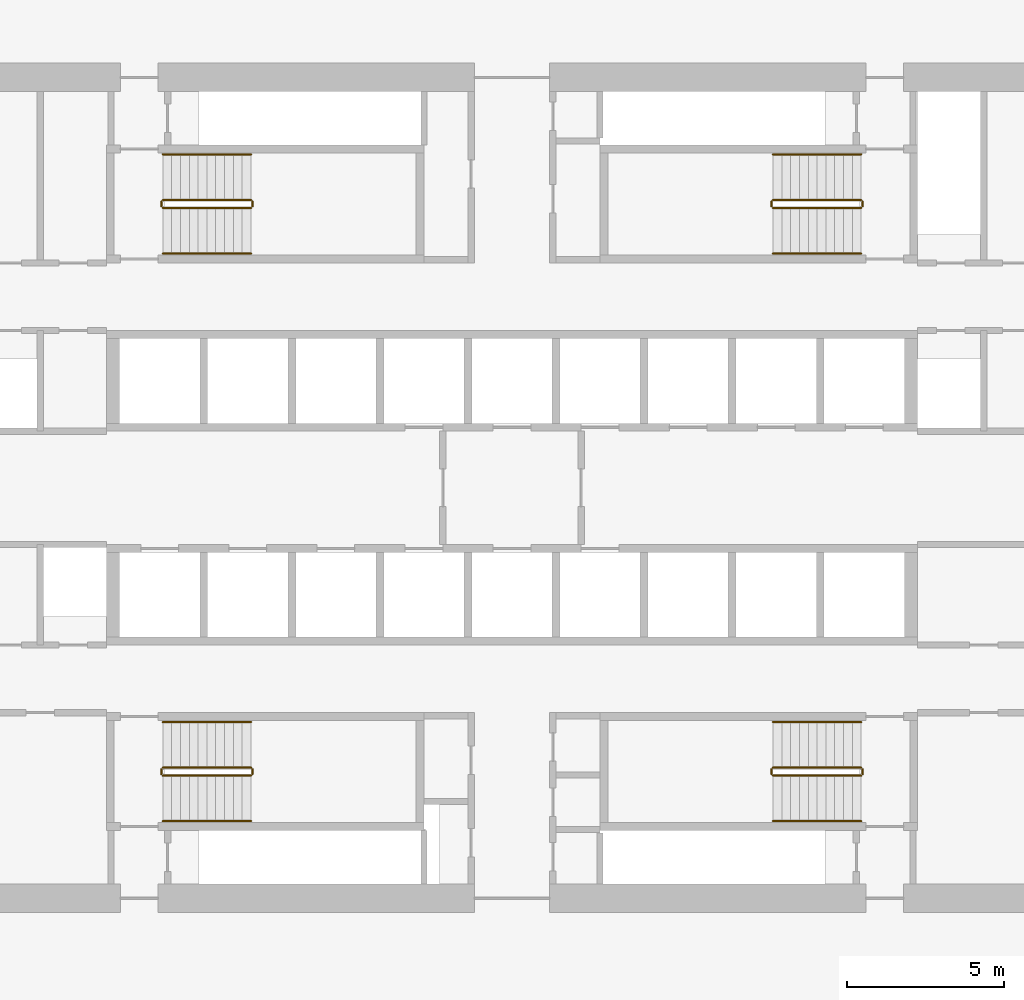
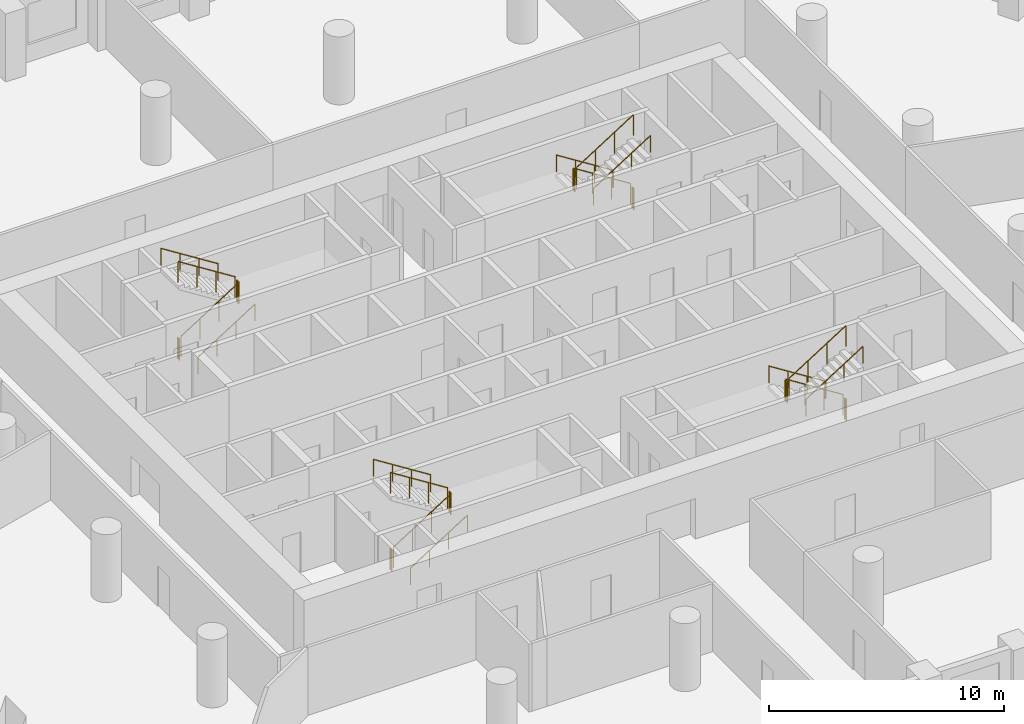
# One storey, part 9 of 9: 24 railings.
"""IFC4 building model written with IfcOpenShell, lengths in metres."""

from ifc_helpers import new_model, si_unit, direction, frame, origin, origin_2d, place, context, subcontext, project, spatial, circle, extrude, material, type_object, element, save


model = new_model("IFC4")

# Units and contexts
model_context = context("Model", 3, precision=1e-05, world=origin(), true_north=direction((0.0, 1.0)))
body_context = subcontext(model_context, "Body", "Model", "MODEL_VIEW")
ifc_project = project(units=[si_unit("LENGTHUNIT", "METRE"), si_unit("AREAUNIT", "SQUARE_METRE"), si_unit("VOLUMEUNIT", "CUBIC_METRE"), si_unit("PLANEANGLEUNIT", "RADIAN"), si_unit("MASSUNIT", "GRAM", prefix="KILO")], contexts=[model_context])

# Site, building, storey
site_placement = place(None, origin())
site = spatial("IfcSite", under=ifc_project, at=site_placement, CompositionType="ELEMENT")
building_placement = place(site_placement, origin())
building = spatial("IfcBuilding", under=site, at=building_placement, Name="Dhurran Vertical Campus", CompositionType="ELEMENT")
storey_placement = place(building_placement, frame((0.0, 0.0, 120.300048828125)))
storey = spatial("IfcBuildingStorey", under=building, at=storey_placement, Name="L29", CompositionType="ELEMENT", Elevation=120.300048828125)

# Railings
ifc_material_1 = material(Name="Stainless steel balustrade", Category="steel")
railing_type_1 = type_object("IfcRailingType", Name="co-RL-GUARD-1100", PredefinedType="GUARDRAIL", material=ifc_material_1)
railing_1_placement = place(storey_placement, frame((-11.10009765625, 8.89990234375, 0.17724609375)))
element("IfcRailing", 1, at=railing_1_placement, inside=storey, type_object=railing_type_1, Name="L29 ST1 stair guard 1", PredefinedType="GUARDRAIL", context=body_context, shape_type="SweptSolid", body=[
    extrude(circle(Radius=0.02392578125, at=origin_2d()), frame((0.0, 0.0, 1.076171875), z_axis=(0.844908973607, 0.0, 0.534910110503), x_axis=(0.0, 1.0, 0.0)), (0.0, 0.0, 1.0), 3.31396484375),
    extrude(circle(Radius=0.02099609375, at=origin_2d()), origin(), (0.0, 0.0, 1.0), 1.052001953125),
    extrude(circle(Radius=0.02099609375, at=origin_2d()), frame((0.933349609375, 0.0, 0.5908203125)), (0.0, 0.0, 1.0), 1.052001953125),
    extrude(circle(Radius=0.02099609375, at=origin_2d()), frame((1.86669921875, 0.0, 1.181884765625)), (0.0, 0.0, 1.0), 1.052001953125),
    extrude(circle(Radius=0.02099609375, at=origin_2d()), frame((2.800048828125, 0.0, 1.772705078125)), (0.0, 0.0, 1.0), 1.052001953125),
])
railing_2_placement = place(storey_placement, frame((-8.25, 8.949951171875, 1.949951171875)))
element("IfcRailing", 2, at=railing_2_placement, inside=storey, type_object=railing_type_1, Name="L29 ST1 stair guard 2", PredefinedType="GUARDRAIL", context=body_context, shape_type="SweptSolid", body=[
    extrude(circle(Radius=0.02392578125, at=origin_2d()), frame((0.0, 0.0, 1.076171875), z_axis=(0.0, 1.0, 0.0), x_axis=(-1.0, 0.0, 0.0)), (0.0, 0.0, 1.0), 0.150146484375),
    extrude(circle(Radius=0.02099609375, at=origin_2d()), origin(), (0.0, 0.0, 1.0), 1.052001953125),
    extrude(circle(Radius=0.02099609375, at=origin_2d()), frame((0.0, 0.150146484375, 0.0)), (0.0, 0.0, 1.0), 1.052001953125),
])
railing_3_placement = place(storey_placement, frame((-8.300048828125, 9.14990234375, 2.127197265625)))
element("IfcRailing", 3, at=railing_3_placement, inside=storey, type_object=railing_type_1, Name="L29 ST1 stair guard 3", PredefinedType="GUARDRAIL", context=body_context, shape_type="SweptSolid", body=[
    extrude(circle(Radius=0.02392578125, at=origin_2d()), frame((0.0, 0.0, 1.076171875), z_axis=(-0.844908973607, 0.0, 0.534910110503), x_axis=(0.0, -1.0, 0.0)), (0.0, 0.0, 1.0), 3.31396484375),
    extrude(circle(Radius=0.02099609375, at=origin_2d()), origin(), (0.0, 0.0, 1.0), 1.052001953125),
    extrude(circle(Radius=0.02099609375, at=origin_2d()), frame((-0.933349609375, 0.0, 0.5908203125)), (0.0, 0.0, 1.0), 1.052001953125),
    extrude(circle(Radius=0.02099609375, at=origin_2d()), frame((-1.86669921875, 0.0, 1.181884765625)), (0.0, 0.0, 1.0), 1.052001953125),
    extrude(circle(Radius=0.02099609375, at=origin_2d()), frame((-2.800048828125, 0.0, 1.772705078125)), (0.0, 0.0, 1.0), 1.052001953125),
])
railing_4_placement = place(storey_placement, frame((-11.14990234375, 8.949951171875, 0.0)))
element("IfcRailing", 4, at=railing_4_placement, inside=storey, type_object=railing_type_1, Name="L29 ST1 stair guard 4", PredefinedType="GUARDRAIL", context=body_context, shape_type="SweptSolid", body=[
    extrude(circle(Radius=0.02392578125, at=origin_2d()), frame((0.0, 0.0, 1.076171875), z_axis=(0.0, 1.0, 0.0), x_axis=(-1.0, 0.0, 0.0)), (0.0, 0.0, 1.0), 0.150146484375),
    extrude(circle(Radius=0.02099609375, at=origin_2d()), origin(), (0.0, 0.0, 1.0), 1.052001953125),
    extrude(circle(Radius=0.02099609375, at=origin_2d()), frame((0.0, 0.150146484375, 0.0)), (0.0, 0.0, 1.0), 1.052001953125),
])
railing_5_placement = place(storey_placement, frame((11.10009765625, 9.14990234375, 0.17724609375)))
element("IfcRailing", 5, at=railing_5_placement, inside=storey, type_object=railing_type_1, Name="L29 ST2 stair guard 1", PredefinedType="GUARDRAIL", context=body_context, shape_type="SweptSolid", body=[
    extrude(circle(Radius=0.02392578125, at=origin_2d()), frame((0.0, 0.0, 1.076171875), z_axis=(-0.844908973607, 0.0, 0.534910110503), x_axis=(0.0, -1.0, 0.0)), (0.0, 0.0, 1.0), 3.31396484375),
    extrude(circle(Radius=0.02099609375, at=origin_2d()), origin(), (0.0, 0.0, 1.0), 1.052001953125),
    extrude(circle(Radius=0.02099609375, at=origin_2d()), frame((-0.933349609375, 0.0, 0.5908203125)), (0.0, 0.0, 1.0), 1.052001953125),
    extrude(circle(Radius=0.02099609375, at=origin_2d()), frame((-1.86669921875, 0.0, 1.181884765625)), (0.0, 0.0, 1.0), 1.052001953125),
    extrude(circle(Radius=0.02099609375, at=origin_2d()), frame((-2.800048828125, 0.0, 1.772705078125)), (0.0, 0.0, 1.0), 1.052001953125),
])
railing_6_placement = place(storey_placement, frame((8.25, 9.10009765625, 1.949951171875)))
element("IfcRailing", 6, at=railing_6_placement, inside=storey, type_object=railing_type_1, Name="L29 ST2 stair guard 2", PredefinedType="GUARDRAIL", context=body_context, shape_type="SweptSolid", body=[
    extrude(circle(Radius=0.02392578125, at=origin_2d()), frame((0.0, 0.0, 1.076171875), z_axis=(0.0, -1.0, 0.0), x_axis=(1.0, 0.0, 0.0)), (0.0, 0.0, 1.0), 0.150146484375),
    extrude(circle(Radius=0.02099609375, at=origin_2d()), origin(), (0.0, 0.0, 1.0), 1.052001953125),
    extrude(circle(Radius=0.02099609375, at=origin_2d()), frame((0.0, -0.150146484375, 0.0)), (0.0, 0.0, 1.0), 1.052001953125),
])
railing_7_placement = place(storey_placement, frame((8.300048828125, 8.89990234375, 2.127197265625)))
element("IfcRailing", 7, at=railing_7_placement, inside=storey, type_object=railing_type_1, Name="L29 ST2 stair guard 3", PredefinedType="GUARDRAIL", context=body_context, shape_type="SweptSolid", body=[
    extrude(circle(Radius=0.02392578125, at=origin_2d()), frame((0.0, 0.0, 1.076171875), z_axis=(0.844908973607, 0.0, 0.534910110503), x_axis=(0.0, 1.0, 0.0)), (0.0, 0.0, 1.0), 3.31396484375),
    extrude(circle(Radius=0.02099609375, at=origin_2d()), origin(), (0.0, 0.0, 1.0), 1.052001953125),
    extrude(circle(Radius=0.02099609375, at=origin_2d()), frame((0.933349609375, 0.0, 0.5908203125)), (0.0, 0.0, 1.0), 1.052001953125),
    extrude(circle(Radius=0.02099609375, at=origin_2d()), frame((1.86669921875, 0.0, 1.181884765625)), (0.0, 0.0, 1.0), 1.052001953125),
    extrude(circle(Radius=0.02099609375, at=origin_2d()), frame((2.800048828125, 0.0, 1.772705078125)), (0.0, 0.0, 1.0), 1.052001953125),
])
railing_8_placement = place(storey_placement, frame((11.14990234375, 9.10009765625, 0.0)))
element("IfcRailing", 8, at=railing_8_placement, inside=storey, type_object=railing_type_1, Name="L29 ST2 stair guard 4", PredefinedType="GUARDRAIL", context=body_context, shape_type="SweptSolid", body=[
    extrude(circle(Radius=0.02392578125, at=origin_2d()), frame((0.0, 0.0, 1.076171875), z_axis=(0.0, -1.0, 0.0), x_axis=(1.0, 0.0, 0.0)), (0.0, 0.0, 1.0), 0.150146484375),
    extrude(circle(Radius=0.02099609375, at=origin_2d()), origin(), (0.0, 0.0, 1.0), 1.052001953125),
    extrude(circle(Radius=0.02099609375, at=origin_2d()), frame((0.0, -0.150146484375, 0.0)), (0.0, 0.0, 1.0), 1.052001953125),
])
railing_9_placement = place(storey_placement, frame((-11.10009765625, -9.14990234375, 0.17724609375)))
element("IfcRailing", 9, at=railing_9_placement, inside=storey, type_object=railing_type_1, Name="L29 ST3 stair guard 1", PredefinedType="GUARDRAIL", context=body_context, shape_type="SweptSolid", body=[
    extrude(circle(Radius=0.02392578125, at=origin_2d()), frame((0.0, 0.0, 1.076171875), z_axis=(0.844908973607, 0.0, 0.534910110503), x_axis=(0.0, 1.0, 0.0)), (0.0, 0.0, 1.0), 3.31396484375),
    extrude(circle(Radius=0.02099609375, at=origin_2d()), origin(), (0.0, 0.0, 1.0), 1.052001953125),
    extrude(circle(Radius=0.02099609375, at=origin_2d()), frame((0.933349609375, 0.0, 0.5908203125)), (0.0, 0.0, 1.0), 1.052001953125),
    extrude(circle(Radius=0.02099609375, at=origin_2d()), frame((1.86669921875, 0.0, 1.181884765625)), (0.0, 0.0, 1.0), 1.052001953125),
    extrude(circle(Radius=0.02099609375, at=origin_2d()), frame((2.800048828125, 0.0, 1.772705078125)), (0.0, 0.0, 1.0), 1.052001953125),
])
railing_10_placement = place(storey_placement, frame((-8.25, -9.10009765625, 1.949951171875)))
element("IfcRailing", 10, at=railing_10_placement, inside=storey, type_object=railing_type_1, Name="L29 ST3 stair guard 2", PredefinedType="GUARDRAIL", context=body_context, shape_type="SweptSolid", body=[
    extrude(circle(Radius=0.02392578125, at=origin_2d()), frame((0.0, 0.0, 1.076171875), z_axis=(0.0, 1.0, 0.0), x_axis=(-1.0, 0.0, 0.0)), (0.0, 0.0, 1.0), 0.150146484375),
    extrude(circle(Radius=0.02099609375, at=origin_2d()), origin(), (0.0, 0.0, 1.0), 1.052001953125),
    extrude(circle(Radius=0.02099609375, at=origin_2d()), frame((0.0, 0.150146484375, 0.0)), (0.0, 0.0, 1.0), 1.052001953125),
])
railing_11_placement = place(storey_placement, frame((-8.300048828125, -8.89990234375, 2.127197265625)))
element("IfcRailing", 11, at=railing_11_placement, inside=storey, type_object=railing_type_1, Name="L29 ST3 stair guard 3", PredefinedType="GUARDRAIL", context=body_context, shape_type="SweptSolid", body=[
    extrude(circle(Radius=0.02392578125, at=origin_2d()), frame((0.0, 0.0, 1.076171875), z_axis=(-0.844908973607, 0.0, 0.534910110503), x_axis=(0.0, -1.0, 0.0)), (0.0, 0.0, 1.0), 3.31396484375),
    extrude(circle(Radius=0.02099609375, at=origin_2d()), origin(), (0.0, 0.0, 1.0), 1.052001953125),
    extrude(circle(Radius=0.02099609375, at=origin_2d()), frame((-0.933349609375, 0.0, 0.5908203125)), (0.0, 0.0, 1.0), 1.052001953125),
    extrude(circle(Radius=0.02099609375, at=origin_2d()), frame((-1.86669921875, 0.0, 1.181884765625)), (0.0, 0.0, 1.0), 1.052001953125),
    extrude(circle(Radius=0.02099609375, at=origin_2d()), frame((-2.800048828125, 0.0, 1.772705078125)), (0.0, 0.0, 1.0), 1.052001953125),
])
railing_12_placement = place(storey_placement, frame((-11.14990234375, -9.10009765625, 0.0)))
element("IfcRailing", 12, at=railing_12_placement, inside=storey, type_object=railing_type_1, Name="L29 ST3 stair guard 4", PredefinedType="GUARDRAIL", context=body_context, shape_type="SweptSolid", body=[
    extrude(circle(Radius=0.02392578125, at=origin_2d()), frame((0.0, 0.0, 1.076171875), z_axis=(0.0, 1.0, 0.0), x_axis=(-1.0, 0.0, 0.0)), (0.0, 0.0, 1.0), 0.150146484375),
    extrude(circle(Radius=0.02099609375, at=origin_2d()), origin(), (0.0, 0.0, 1.0), 1.052001953125),
    extrude(circle(Radius=0.02099609375, at=origin_2d()), frame((0.0, 0.150146484375, 0.0)), (0.0, 0.0, 1.0), 1.052001953125),
])
railing_13_placement = place(storey_placement, frame((11.10009765625, -8.89990234375, 0.17724609375)))
element("IfcRailing", 13, at=railing_13_placement, inside=storey, type_object=railing_type_1, Name="L29 ST4 stair guard 1", PredefinedType="GUARDRAIL", context=body_context, shape_type="SweptSolid", body=[
    extrude(circle(Radius=0.02392578125, at=origin_2d()), frame((0.0, 0.0, 1.076171875), z_axis=(-0.844908973607, 0.0, 0.534910110503), x_axis=(0.0, -1.0, 0.0)), (0.0, 0.0, 1.0), 3.31396484375),
    extrude(circle(Radius=0.02099609375, at=origin_2d()), origin(), (0.0, 0.0, 1.0), 1.052001953125),
    extrude(circle(Radius=0.02099609375, at=origin_2d()), frame((-0.933349609375, 0.0, 0.5908203125)), (0.0, 0.0, 1.0), 1.052001953125),
    extrude(circle(Radius=0.02099609375, at=origin_2d()), frame((-1.86669921875, 0.0, 1.181884765625)), (0.0, 0.0, 1.0), 1.052001953125),
    extrude(circle(Radius=0.02099609375, at=origin_2d()), frame((-2.800048828125, 0.0, 1.772705078125)), (0.0, 0.0, 1.0), 1.052001953125),
])
railing_14_placement = place(storey_placement, frame((8.25, -8.949951171875, 1.949951171875)))
element("IfcRailing", 14, at=railing_14_placement, inside=storey, type_object=railing_type_1, Name="L29 ST4 stair guard 2", PredefinedType="GUARDRAIL", context=body_context, shape_type="SweptSolid", body=[
    extrude(circle(Radius=0.02392578125, at=origin_2d()), frame((0.0, 0.0, 1.076171875), z_axis=(0.0, -1.0, 0.0), x_axis=(1.0, 0.0, 0.0)), (0.0, 0.0, 1.0), 0.150146484375),
    extrude(circle(Radius=0.02099609375, at=origin_2d()), origin(), (0.0, 0.0, 1.0), 1.052001953125),
    extrude(circle(Radius=0.02099609375, at=origin_2d()), frame((0.0, -0.150146484375, 0.0)), (0.0, 0.0, 1.0), 1.052001953125),
])
railing_15_placement = place(storey_placement, frame((8.300048828125, -9.14990234375, 2.127197265625)))
element("IfcRailing", 15, at=railing_15_placement, inside=storey, type_object=railing_type_1, Name="L29 ST4 stair guard 3", PredefinedType="GUARDRAIL", context=body_context, shape_type="SweptSolid", body=[
    extrude(circle(Radius=0.02392578125, at=origin_2d()), frame((0.0, 0.0, 1.076171875), z_axis=(0.844908973607, 0.0, 0.534910110503), x_axis=(0.0, 1.0, 0.0)), (0.0, 0.0, 1.0), 3.31396484375),
    extrude(circle(Radius=0.02099609375, at=origin_2d()), origin(), (0.0, 0.0, 1.0), 1.052001953125),
    extrude(circle(Radius=0.02099609375, at=origin_2d()), frame((0.933349609375, 0.0, 0.5908203125)), (0.0, 0.0, 1.0), 1.052001953125),
    extrude(circle(Radius=0.02099609375, at=origin_2d()), frame((1.86669921875, 0.0, 1.181884765625)), (0.0, 0.0, 1.0), 1.052001953125),
    extrude(circle(Radius=0.02099609375, at=origin_2d()), frame((2.800048828125, 0.0, 1.772705078125)), (0.0, 0.0, 1.0), 1.052001953125),
])
railing_16_placement = place(storey_placement, frame((11.14990234375, -8.949951171875, 0.0)))
element("IfcRailing", 16, at=railing_16_placement, inside=storey, type_object=railing_type_1, Name="L29 ST4 stair guard 4", PredefinedType="GUARDRAIL", context=body_context, shape_type="SweptSolid", body=[
    extrude(circle(Radius=0.02392578125, at=origin_2d()), frame((0.0, 0.0, 1.076171875), z_axis=(0.0, -1.0, 0.0), x_axis=(1.0, 0.0, 0.0)), (0.0, 0.0, 1.0), 0.150146484375),
    extrude(circle(Radius=0.02099609375, at=origin_2d()), origin(), (0.0, 0.0, 1.0), 1.052001953125),
    extrude(circle(Radius=0.02099609375, at=origin_2d()), frame((0.0, -0.150146484375, 0.0)), (0.0, 0.0, 1.0), 1.052001953125),
])
ifc_material_2 = material(Name="Stainless steel handrail", Category="steel")
railing_type_2 = type_object("IfcRailingType", Name="co-RL-HANDRAIL-900", PredefinedType="HANDRAIL", material=ifc_material_2)
railing_17_placement = place(storey_placement, frame((-11.10009765625, 7.449951171875, 0.17724609375)))
element("IfcRailing", 17, at=railing_17_placement, inside=storey, type_object=railing_type_2, Name="L29 ST1 stair handrail 1", PredefinedType="HANDRAIL", context=body_context, shape_type="SweptSolid", body=[
    extrude(circle(Radius=0.02392578125, at=origin_2d()), frame((0.0, 0.0, 0.8759765625), z_axis=(0.844908973607, 0.0, 0.534910110503), x_axis=(0.0, 1.0, 0.0)), (0.0, 0.0, 1.0), 3.31396484375),
    extrude(circle(Radius=0.02099609375, at=origin_2d()), origin(), (0.0, 0.0, 1.0), 0.851806640625),
    extrude(circle(Radius=0.02099609375, at=origin_2d()), frame((0.933349609375, 0.0, 0.5908203125)), (0.0, 0.0, 1.0), 0.851806640625),
    extrude(circle(Radius=0.02099609375, at=origin_2d()), frame((1.86669921875, 0.0, 1.181884765625)), (0.0, 0.0, 1.0), 0.851806640625),
    extrude(circle(Radius=0.02099609375, at=origin_2d()), frame((2.800048828125, 0.0, 1.772705078125)), (0.0, 0.0, 1.0), 0.851806640625),
])
for number, where, name in (
    (18, (-8.300048828125, 10.60009765625, 2.127197265625), "L29 ST1 stair handrail 2"),
    (19, (11.10009765625, 10.60009765625, 0.17724609375), "L29 ST2 stair handrail 1"),
):
    element("IfcRailing", number, at=place(storey_placement, frame(where)), inside=storey, type_object=railing_type_2, Name=name, PredefinedType="HANDRAIL", context=body_context, shape_type="SweptSolid", body=[
        extrude(circle(Radius=0.02392578125, at=origin_2d()), frame((0.0, 0.0, 0.8759765625), z_axis=(-0.844908973607, 0.0, 0.534910110503), x_axis=(0.0, -1.0, 0.0)), (0.0, 0.0, 1.0), 3.31396484375),
        extrude(circle(Radius=0.02099609375, at=origin_2d()), origin(), (0.0, 0.0, 1.0), 0.851806640625),
        extrude(circle(Radius=0.02099609375, at=origin_2d()), frame((-0.933349609375, 0.0, 0.5908203125)), (0.0, 0.0, 1.0), 0.851806640625),
        extrude(circle(Radius=0.02099609375, at=origin_2d()), frame((-1.86669921875, 0.0, 1.181884765625)), (0.0, 0.0, 1.0), 0.851806640625),
        extrude(circle(Radius=0.02099609375, at=origin_2d()), frame((-2.800048828125, 0.0, 1.772705078125)), (0.0, 0.0, 1.0), 0.851806640625),
    ])
for number, where, name in (
    (20, (8.300048828125, 7.449951171875, 2.127197265625), "L29 ST2 stair handrail 2"),
    (21, (-11.10009765625, -10.60009765625, 0.17724609375), "L29 ST3 stair handrail 1"),
):
    element("IfcRailing", number, at=place(storey_placement, frame(where)), inside=storey, type_object=railing_type_2, Name=name, PredefinedType="HANDRAIL", context=body_context, shape_type="SweptSolid", body=[
        extrude(circle(Radius=0.02392578125, at=origin_2d()), frame((0.0, 0.0, 0.8759765625), z_axis=(0.844908973607, 0.0, 0.534910110503), x_axis=(0.0, 1.0, 0.0)), (0.0, 0.0, 1.0), 3.31396484375),
        extrude(circle(Radius=0.02099609375, at=origin_2d()), origin(), (0.0, 0.0, 1.0), 0.851806640625),
        extrude(circle(Radius=0.02099609375, at=origin_2d()), frame((0.933349609375, 0.0, 0.5908203125)), (0.0, 0.0, 1.0), 0.851806640625),
        extrude(circle(Radius=0.02099609375, at=origin_2d()), frame((1.86669921875, 0.0, 1.181884765625)), (0.0, 0.0, 1.0), 0.851806640625),
        extrude(circle(Radius=0.02099609375, at=origin_2d()), frame((2.800048828125, 0.0, 1.772705078125)), (0.0, 0.0, 1.0), 0.851806640625),
    ])
for number, where, name in (
    (22, (-8.300048828125, -7.449951171875, 2.127197265625), "L29 ST3 stair handrail 2"),
    (23, (11.10009765625, -7.449951171875, 0.17724609375), "L29 ST4 stair handrail 1"),
):
    element("IfcRailing", number, at=place(storey_placement, frame(where)), inside=storey, type_object=railing_type_2, Name=name, PredefinedType="HANDRAIL", context=body_context, shape_type="SweptSolid", body=[
        extrude(circle(Radius=0.02392578125, at=origin_2d()), frame((0.0, 0.0, 0.8759765625), z_axis=(-0.844908973607, 0.0, 0.534910110503), x_axis=(0.0, -1.0, 0.0)), (0.0, 0.0, 1.0), 3.31396484375),
        extrude(circle(Radius=0.02099609375, at=origin_2d()), origin(), (0.0, 0.0, 1.0), 0.851806640625),
        extrude(circle(Radius=0.02099609375, at=origin_2d()), frame((-0.933349609375, 0.0, 0.5908203125)), (0.0, 0.0, 1.0), 0.851806640625),
        extrude(circle(Radius=0.02099609375, at=origin_2d()), frame((-1.86669921875, 0.0, 1.181884765625)), (0.0, 0.0, 1.0), 0.851806640625),
        extrude(circle(Radius=0.02099609375, at=origin_2d()), frame((-2.800048828125, 0.0, 1.772705078125)), (0.0, 0.0, 1.0), 0.851806640625),
    ])
railing_18_placement = place(storey_placement, frame((8.300048828125, -10.60009765625, 2.127197265625)))
element("IfcRailing", 24, at=railing_18_placement, inside=storey, type_object=railing_type_2, Name="L29 ST4 stair handrail 2", PredefinedType="HANDRAIL", context=body_context, shape_type="SweptSolid", body=[
    extrude(circle(Radius=0.02392578125, at=origin_2d()), frame((0.0, 0.0, 0.8759765625), z_axis=(0.844908973607, 0.0, 0.534910110503), x_axis=(0.0, 1.0, 0.0)), (0.0, 0.0, 1.0), 3.31396484375),
    extrude(circle(Radius=0.02099609375, at=origin_2d()), origin(), (0.0, 0.0, 1.0), 0.851806640625),
    extrude(circle(Radius=0.02099609375, at=origin_2d()), frame((0.933349609375, 0.0, 0.5908203125)), (0.0, 0.0, 1.0), 0.851806640625),
    extrude(circle(Radius=0.02099609375, at=origin_2d()), frame((1.86669921875, 0.0, 1.181884765625)), (0.0, 0.0, 1.0), 0.851806640625),
    extrude(circle(Radius=0.02099609375, at=origin_2d()), frame((2.800048828125, 0.0, 1.772705078125)), (0.0, 0.0, 1.0), 0.851806640625),
])

save(model, "model.ifc")
